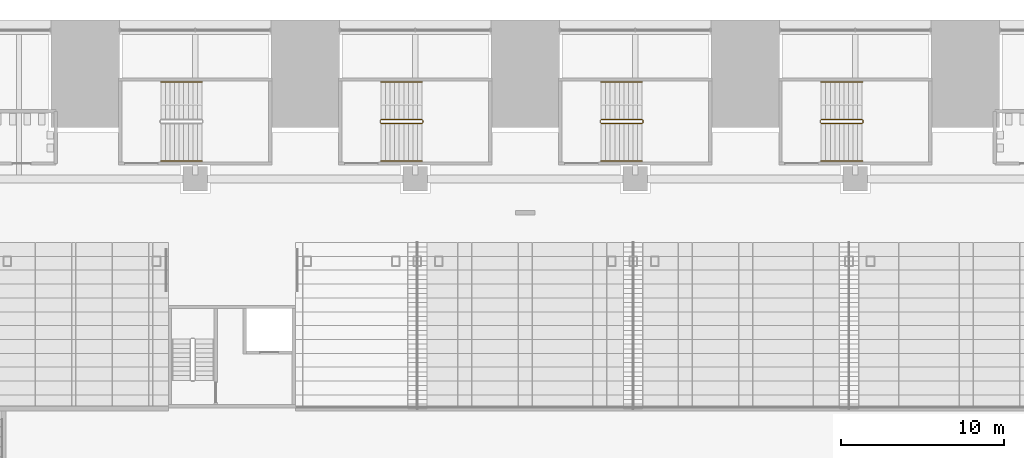
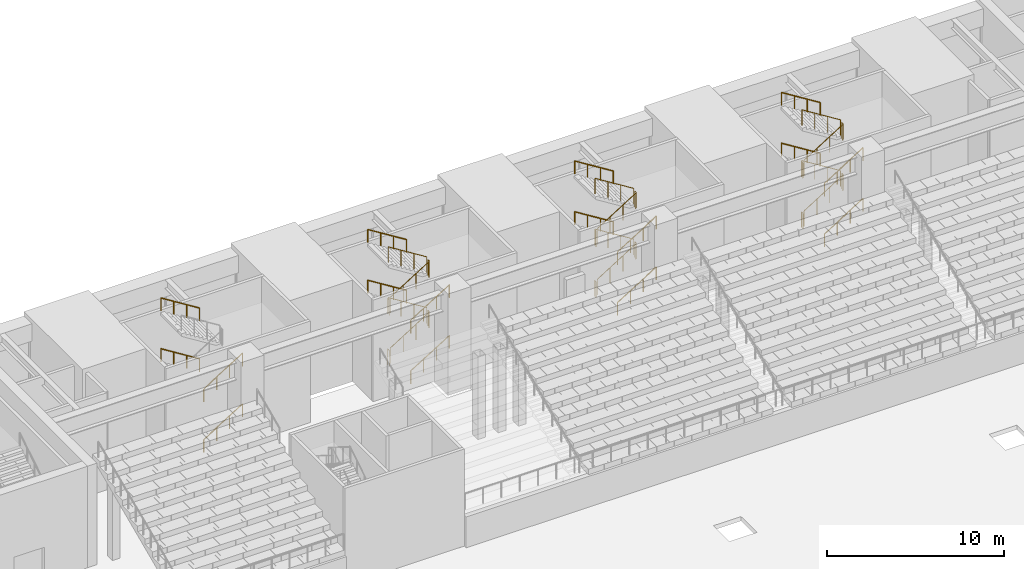
# One storey, part 60 of 62: 7 railings.
"""IFC4 building model written with IfcOpenShell, lengths in metres."""

from ifc_helpers import new_model, si_unit, direction, frame, origin, origin_2d, place, context, subcontext, project, spatial, circle, extrude, material, type_object, element, save


model = new_model("IFC4")

# Units and contexts
model_context = context("Model", 3, precision=1e-05, world=origin(), true_north=direction((0.0, 1.0)))
body_context = subcontext(model_context, "Body", "Model", "MODEL_VIEW")
ifc_project = project(units=[si_unit("LENGTHUNIT", "METRE"), si_unit("AREAUNIT", "SQUARE_METRE"), si_unit("VOLUMEUNIT", "CUBIC_METRE"), si_unit("PLANEANGLEUNIT", "RADIAN"), si_unit("MASSUNIT", "GRAM", prefix="KILO")], contexts=[model_context])

# Site, building, storey
site_placement = place(None, origin())
site = spatial("IfcSite", under=ifc_project, at=site_placement, CompositionType="ELEMENT")
building_placement = place(site_placement, origin())
building = spatial("IfcBuilding", under=site, at=building_placement, Name="Corbelhall Arena Tower", CompositionType="ELEMENT")
storey_placement = place(building_placement, frame((0.0, 0.0, 12.0)))
storey = spatial("IfcBuildingStorey", under=building, at=storey_placement, Name="L01", CompositionType="ELEMENT", Elevation=12.0)

# Railings
ifc_material = material(Name="Stainless steel A4", Category="steel")
railing_type_1 = type_object("IfcRailingType", Name="AR-STAIR-GUARD", PredefinedType="GUARDRAIL", material=ifc_material)
railing_1_placement = place(storey_placement, frame((-8.85009765625, 32.64990234375, 0.175048828125)))
element("IfcRailing", 1, at=railing_1_placement, inside=storey, type_object=railing_type_1, Name="L01 AS10 stair guards", PredefinedType="GUARDRAIL", context=body_context, shape_type="SweptSolid", body=[
    extrude(circle(Radius=0.02392578125, at=origin_2d()), frame((0.0, 0.0, 1.076171875), z_axis=(0.848007534815, 0.0, 0.529984170421), x_axis=(0.0, 1.0, 0.0)), (0.0, 0.0, 1.0), 2.9716796875),
    extrude(circle(Radius=0.02392578125, at=origin_2d()), frame((2.570068359375, 0.050048828125, 2.65087890625), z_axis=(0.0, 1.0, 0.0), x_axis=(-1.0, 0.0, 0.0)), (0.0, 0.0, 1.0), 0.150146484375),
    extrude(circle(Radius=0.02392578125, at=origin_2d()), frame((2.52001953125, 0.25, 2.826171875), z_axis=(-0.848007534815, 0.0, 0.529984170421), x_axis=(0.0, -1.0, 0.0)), (0.0, 0.0, 1.0), 2.9716796875),
    extrude(circle(Radius=0.02392578125, at=origin_2d()), frame((-0.0498046875, 0.050048828125, 4.40087890625), z_axis=(0.0, 1.0, 0.0), x_axis=(-1.0, 0.0, 0.0)), (0.0, 0.0, 1.0), 0.150146484375),
    extrude(circle(Radius=0.02392578125, at=origin_2d()), frame((0.0, 0.0, 4.576171875), z_axis=(0.848007534815, 0.0, 0.529984170421), x_axis=(0.0, 1.0, 0.0)), (0.0, 0.0, 1.0), 2.9716796875),
    extrude(circle(Radius=0.02392578125, at=origin_2d()), frame((2.570068359375, 0.050048828125, 6.15087890625), z_axis=(0.0, 1.0, 0.0), x_axis=(-1.0, 0.0, 0.0)), (0.0, 0.0, 1.0), 0.150146484375),
    extrude(circle(Radius=0.02392578125, at=origin_2d()), frame((2.52001953125, 0.25, 6.326171875), z_axis=(-0.848007534815, 0.0, 0.529984170421), x_axis=(0.0, -1.0, 0.0)), (0.0, 0.0, 1.0), 2.9716796875),
    extrude(circle(Radius=0.02392578125, at=origin_2d()), frame((-0.0498046875, 0.050048828125, 0.90087890625), z_axis=(0.0, 1.0, 0.0), x_axis=(-1.0, 0.0, 0.0)), (0.0, 0.0, 1.0), 0.150146484375),
    extrude(circle(Radius=0.02099609375, at=origin_2d()), origin(), (0.0, 0.0, 1.0), 1.052001953125),
    extrude(circle(Radius=0.02099609375, at=origin_2d()), frame((0.840087890625, 0.0, 0.52490234375)), (0.0, 0.0, 1.0), 1.052001953125),
    extrude(circle(Radius=0.02099609375, at=origin_2d()), frame((1.679931640625, 0.0, 1.050048828125)), (0.0, 0.0, 1.0), 1.052001953125),
    extrude(circle(Radius=0.02099609375, at=origin_2d()), frame((2.52001953125, 0.0, 1.574951171875)), (0.0, 0.0, 1.0), 1.052001953125),
    extrude(circle(Radius=0.02099609375, at=origin_2d()), frame((2.570068359375, 0.050048828125, 1.574951171875)), (0.0, 0.0, 1.0), 1.052001953125),
    extrude(circle(Radius=0.02099609375, at=origin_2d()), frame((2.570068359375, 0.2001953125, 1.574951171875)), (0.0, 0.0, 1.0), 1.052001953125),
    extrude(circle(Radius=0.02099609375, at=origin_2d()), frame((2.52001953125, 0.25, 1.75)), (0.0, 0.0, 1.0), 1.052001953125),
    extrude(circle(Radius=0.02099609375, at=origin_2d()), frame((1.679931640625, 0.25, 2.27490234375)), (0.0, 0.0, 1.0), 1.052001953125),
    extrude(circle(Radius=0.02099609375, at=origin_2d()), frame((0.840087890625, 0.25, 2.800048828125)), (0.0, 0.0, 1.0), 1.052001953125),
    extrude(circle(Radius=0.02099609375, at=origin_2d()), frame((0.0, 0.25, 3.324951171875)), (0.0, 0.0, 1.0), 1.052001953125),
    extrude(circle(Radius=0.02099609375, at=origin_2d()), frame((-0.0498046875, 0.050048828125, 3.324951171875)), (0.0, 0.0, 1.0), 1.052001953125),
    extrude(circle(Radius=0.02099609375, at=origin_2d()), frame((-0.0498046875, 0.2001953125, 3.324951171875)), (0.0, 0.0, 1.0), 1.052001953125),
    extrude(circle(Radius=0.02099609375, at=origin_2d()), frame((0.0, 0.0, 3.5)), (0.0, 0.0, 1.0), 1.052001953125),
    extrude(circle(Radius=0.02099609375, at=origin_2d()), frame((0.840087890625, 0.0, 4.02490234375)), (0.0, 0.0, 1.0), 1.052001953125),
    extrude(circle(Radius=0.02099609375, at=origin_2d()), frame((1.679931640625, 0.0, 4.550048828125)), (0.0, 0.0, 1.0), 1.052001953125),
    extrude(circle(Radius=0.02099609375, at=origin_2d()), frame((2.52001953125, 0.0, 5.074951171875)), (0.0, 0.0, 1.0), 1.052001953125),
    extrude(circle(Radius=0.02099609375, at=origin_2d()), frame((2.570068359375, 0.050048828125, 5.074951171875)), (0.0, 0.0, 1.0), 1.052001953125),
    extrude(circle(Radius=0.02099609375, at=origin_2d()), frame((2.570068359375, 0.2001953125, 5.074951171875)), (0.0, 0.0, 1.0), 1.052001953125),
    extrude(circle(Radius=0.02099609375, at=origin_2d()), frame((2.52001953125, 0.25, 5.25)), (0.0, 0.0, 1.0), 1.052001953125),
    extrude(circle(Radius=0.02099609375, at=origin_2d()), frame((1.679931640625, 0.25, 5.77490234375)), (0.0, 0.0, 1.0), 1.052001953125),
    extrude(circle(Radius=0.02099609375, at=origin_2d()), frame((0.840087890625, 0.25, 6.300048828125)), (0.0, 0.0, 1.0), 1.052001953125),
    extrude(circle(Radius=0.02099609375, at=origin_2d()), frame((0.0, 0.25, 6.824951171875)), (0.0, 0.0, 1.0), 1.052001953125),
    extrude(circle(Radius=0.02099609375, at=origin_2d()), frame((-0.0498046875, 0.050048828125, -0.175048828125)), (0.0, 0.0, 1.0), 1.052001953125),
    extrude(circle(Radius=0.02099609375, at=origin_2d()), frame((-0.0498046875, 0.2001953125, -0.175048828125)), (0.0, 0.0, 1.0), 1.052001953125),
])
railing_2_placement = place(storey_placement, frame((4.64990234375, 32.64990234375, 0.175048828125)))
element("IfcRailing", 2, at=railing_2_placement, inside=storey, type_object=railing_type_1, Name="L01 AS11 stair guards", PredefinedType="GUARDRAIL", context=body_context, shape_type="SweptSolid", body=[
    extrude(circle(Radius=0.02392578125, at=origin_2d()), frame((0.0, 0.0, 1.076171875), z_axis=(0.848007534815, 0.0, 0.529984170421), x_axis=(0.0, 1.0, 0.0)), (0.0, 0.0, 1.0), 2.9716796875),
    extrude(circle(Radius=0.02392578125, at=origin_2d()), frame((2.570068359375, 0.050048828125, 2.65087890625), z_axis=(0.0, 1.0, 0.0), x_axis=(-1.0, 0.0, 0.0)), (0.0, 0.0, 1.0), 0.150146484375),
    extrude(circle(Radius=0.02392578125, at=origin_2d()), frame((2.52001953125, 0.25, 2.826171875), z_axis=(-0.848007534815, 0.0, 0.529984170421), x_axis=(0.0, -1.0, 0.0)), (0.0, 0.0, 1.0), 2.9716796875),
    extrude(circle(Radius=0.02392578125, at=origin_2d()), frame((-0.0498046875, 0.050048828125, 4.40087890625), z_axis=(0.0, 1.0, 0.0), x_axis=(-1.0, 0.0, 0.0)), (0.0, 0.0, 1.0), 0.150146484375),
    extrude(circle(Radius=0.02392578125, at=origin_2d()), frame((0.0, 0.0, 4.576171875), z_axis=(0.848007534815, 0.0, 0.529984170421), x_axis=(0.0, 1.0, 0.0)), (0.0, 0.0, 1.0), 2.9716796875),
    extrude(circle(Radius=0.02392578125, at=origin_2d()), frame((2.570068359375, 0.050048828125, 6.15087890625), z_axis=(0.0, 1.0, 0.0), x_axis=(-1.0, 0.0, 0.0)), (0.0, 0.0, 1.0), 0.150146484375),
    extrude(circle(Radius=0.02392578125, at=origin_2d()), frame((2.52001953125, 0.25, 6.326171875), z_axis=(-0.848007534815, 0.0, 0.529984170421), x_axis=(0.0, -1.0, 0.0)), (0.0, 0.0, 1.0), 2.9716796875),
    extrude(circle(Radius=0.02392578125, at=origin_2d()), frame((-0.0498046875, 0.050048828125, 0.90087890625), z_axis=(0.0, 1.0, 0.0), x_axis=(-1.0, 0.0, 0.0)), (0.0, 0.0, 1.0), 0.150146484375),
    extrude(circle(Radius=0.02099609375, at=origin_2d()), origin(), (0.0, 0.0, 1.0), 1.052001953125),
    extrude(circle(Radius=0.02099609375, at=origin_2d()), frame((0.840087890625, 0.0, 0.52490234375)), (0.0, 0.0, 1.0), 1.052001953125),
    extrude(circle(Radius=0.02099609375, at=origin_2d()), frame((1.679931640625, 0.0, 1.050048828125)), (0.0, 0.0, 1.0), 1.052001953125),
    extrude(circle(Radius=0.02099609375, at=origin_2d()), frame((2.52001953125, 0.0, 1.574951171875)), (0.0, 0.0, 1.0), 1.052001953125),
    extrude(circle(Radius=0.02099609375, at=origin_2d()), frame((2.570068359375, 0.050048828125, 1.574951171875)), (0.0, 0.0, 1.0), 1.052001953125),
    extrude(circle(Radius=0.02099609375, at=origin_2d()), frame((2.570068359375, 0.2001953125, 1.574951171875)), (0.0, 0.0, 1.0), 1.052001953125),
    extrude(circle(Radius=0.02099609375, at=origin_2d()), frame((2.52001953125, 0.25, 1.75)), (0.0, 0.0, 1.0), 1.052001953125),
    extrude(circle(Radius=0.02099609375, at=origin_2d()), frame((1.679931640625, 0.25, 2.27490234375)), (0.0, 0.0, 1.0), 1.052001953125),
    extrude(circle(Radius=0.02099609375, at=origin_2d()), frame((0.840087890625, 0.25, 2.800048828125)), (0.0, 0.0, 1.0), 1.052001953125),
    extrude(circle(Radius=0.02099609375, at=origin_2d()), frame((0.0, 0.25, 3.324951171875)), (0.0, 0.0, 1.0), 1.052001953125),
    extrude(circle(Radius=0.02099609375, at=origin_2d()), frame((-0.0498046875, 0.050048828125, 3.324951171875)), (0.0, 0.0, 1.0), 1.052001953125),
    extrude(circle(Radius=0.02099609375, at=origin_2d()), frame((-0.0498046875, 0.2001953125, 3.324951171875)), (0.0, 0.0, 1.0), 1.052001953125),
    extrude(circle(Radius=0.02099609375, at=origin_2d()), frame((0.0, 0.0, 3.5)), (0.0, 0.0, 1.0), 1.052001953125),
    extrude(circle(Radius=0.02099609375, at=origin_2d()), frame((0.840087890625, 0.0, 4.02490234375)), (0.0, 0.0, 1.0), 1.052001953125),
    extrude(circle(Radius=0.02099609375, at=origin_2d()), frame((1.679931640625, 0.0, 4.550048828125)), (0.0, 0.0, 1.0), 1.052001953125),
    extrude(circle(Radius=0.02099609375, at=origin_2d()), frame((2.52001953125, 0.0, 5.074951171875)), (0.0, 0.0, 1.0), 1.052001953125),
    extrude(circle(Radius=0.02099609375, at=origin_2d()), frame((2.570068359375, 0.050048828125, 5.074951171875)), (0.0, 0.0, 1.0), 1.052001953125),
    extrude(circle(Radius=0.02099609375, at=origin_2d()), frame((2.570068359375, 0.2001953125, 5.074951171875)), (0.0, 0.0, 1.0), 1.052001953125),
    extrude(circle(Radius=0.02099609375, at=origin_2d()), frame((2.52001953125, 0.25, 5.25)), (0.0, 0.0, 1.0), 1.052001953125),
    extrude(circle(Radius=0.02099609375, at=origin_2d()), frame((1.679931640625, 0.25, 5.77490234375)), (0.0, 0.0, 1.0), 1.052001953125),
    extrude(circle(Radius=0.02099609375, at=origin_2d()), frame((0.840087890625, 0.25, 6.300048828125)), (0.0, 0.0, 1.0), 1.052001953125),
    extrude(circle(Radius=0.02099609375, at=origin_2d()), frame((0.0, 0.25, 6.824951171875)), (0.0, 0.0, 1.0), 1.052001953125),
    extrude(circle(Radius=0.02099609375, at=origin_2d()), frame((-0.0498046875, 0.050048828125, -0.175048828125)), (0.0, 0.0, 1.0), 1.052001953125),
    extrude(circle(Radius=0.02099609375, at=origin_2d()), frame((-0.0498046875, 0.2001953125, -0.175048828125)), (0.0, 0.0, 1.0), 1.052001953125),
])
railing_3_placement = place(storey_placement, frame((18.14990234375, 32.64990234375, 0.175048828125)))
element("IfcRailing", 3, at=railing_3_placement, inside=storey, type_object=railing_type_1, Name="L01 AS12 stair guards", PredefinedType="GUARDRAIL", context=body_context, shape_type="SweptSolid", body=[
    extrude(circle(Radius=0.02392578125, at=origin_2d()), frame((0.0, 0.0, 1.076171875), z_axis=(0.848007534815, 0.0, 0.529984170421), x_axis=(0.0, 1.0, 0.0)), (0.0, 0.0, 1.0), 2.9716796875),
    extrude(circle(Radius=0.02392578125, at=origin_2d()), frame((2.570068359375, 0.050048828125, 2.65087890625), z_axis=(0.0, 1.0, 0.0), x_axis=(-1.0, 0.0, 0.0)), (0.0, 0.0, 1.0), 0.150146484375),
    extrude(circle(Radius=0.02392578125, at=origin_2d()), frame((2.52001953125, 0.25, 2.826171875), z_axis=(-0.848007534815, 0.0, 0.529984170421), x_axis=(0.0, -1.0, 0.0)), (0.0, 0.0, 1.0), 2.9716796875),
    extrude(circle(Radius=0.02392578125, at=origin_2d()), frame((-0.0498046875, 0.050048828125, 4.40087890625), z_axis=(0.0, 1.0, 0.0), x_axis=(-1.0, 0.0, 0.0)), (0.0, 0.0, 1.0), 0.150146484375),
    extrude(circle(Radius=0.02392578125, at=origin_2d()), frame((0.0, 0.0, 4.576171875), z_axis=(0.848007534815, 0.0, 0.529984170421), x_axis=(0.0, 1.0, 0.0)), (0.0, 0.0, 1.0), 2.9716796875),
    extrude(circle(Radius=0.02392578125, at=origin_2d()), frame((2.570068359375, 0.050048828125, 6.15087890625), z_axis=(0.0, 1.0, 0.0), x_axis=(-1.0, 0.0, 0.0)), (0.0, 0.0, 1.0), 0.150146484375),
    extrude(circle(Radius=0.02392578125, at=origin_2d()), frame((2.52001953125, 0.25, 6.326171875), z_axis=(-0.848007534815, 0.0, 0.529984170421), x_axis=(0.0, -1.0, 0.0)), (0.0, 0.0, 1.0), 2.9716796875),
    extrude(circle(Radius=0.02392578125, at=origin_2d()), frame((-0.0498046875, 0.050048828125, 0.90087890625), z_axis=(0.0, 1.0, 0.0), x_axis=(-1.0, 0.0, 0.0)), (0.0, 0.0, 1.0), 0.150146484375),
    extrude(circle(Radius=0.02099609375, at=origin_2d()), origin(), (0.0, 0.0, 1.0), 1.052001953125),
    extrude(circle(Radius=0.02099609375, at=origin_2d()), frame((0.840087890625, 0.0, 0.52490234375)), (0.0, 0.0, 1.0), 1.052001953125),
    extrude(circle(Radius=0.02099609375, at=origin_2d()), frame((1.679931640625, 0.0, 1.050048828125)), (0.0, 0.0, 1.0), 1.052001953125),
    extrude(circle(Radius=0.02099609375, at=origin_2d()), frame((2.52001953125, 0.0, 1.574951171875)), (0.0, 0.0, 1.0), 1.052001953125),
    extrude(circle(Radius=0.02099609375, at=origin_2d()), frame((2.570068359375, 0.050048828125, 1.574951171875)), (0.0, 0.0, 1.0), 1.052001953125),
    extrude(circle(Radius=0.02099609375, at=origin_2d()), frame((2.570068359375, 0.2001953125, 1.574951171875)), (0.0, 0.0, 1.0), 1.052001953125),
    extrude(circle(Radius=0.02099609375, at=origin_2d()), frame((2.52001953125, 0.25, 1.75)), (0.0, 0.0, 1.0), 1.052001953125),
    extrude(circle(Radius=0.02099609375, at=origin_2d()), frame((1.679931640625, 0.25, 2.27490234375)), (0.0, 0.0, 1.0), 1.052001953125),
    extrude(circle(Radius=0.02099609375, at=origin_2d()), frame((0.840087890625, 0.25, 2.800048828125)), (0.0, 0.0, 1.0), 1.052001953125),
    extrude(circle(Radius=0.02099609375, at=origin_2d()), frame((0.0, 0.25, 3.324951171875)), (0.0, 0.0, 1.0), 1.052001953125),
    extrude(circle(Radius=0.02099609375, at=origin_2d()), frame((-0.0498046875, 0.050048828125, 3.324951171875)), (0.0, 0.0, 1.0), 1.052001953125),
    extrude(circle(Radius=0.02099609375, at=origin_2d()), frame((-0.0498046875, 0.2001953125, 3.324951171875)), (0.0, 0.0, 1.0), 1.052001953125),
    extrude(circle(Radius=0.02099609375, at=origin_2d()), frame((0.0, 0.0, 3.5)), (0.0, 0.0, 1.0), 1.052001953125),
    extrude(circle(Radius=0.02099609375, at=origin_2d()), frame((0.840087890625, 0.0, 4.02490234375)), (0.0, 0.0, 1.0), 1.052001953125),
    extrude(circle(Radius=0.02099609375, at=origin_2d()), frame((1.679931640625, 0.0, 4.550048828125)), (0.0, 0.0, 1.0), 1.052001953125),
    extrude(circle(Radius=0.02099609375, at=origin_2d()), frame((2.52001953125, 0.0, 5.074951171875)), (0.0, 0.0, 1.0), 1.052001953125),
    extrude(circle(Radius=0.02099609375, at=origin_2d()), frame((2.570068359375, 0.050048828125, 5.074951171875)), (0.0, 0.0, 1.0), 1.052001953125),
    extrude(circle(Radius=0.02099609375, at=origin_2d()), frame((2.570068359375, 0.2001953125, 5.074951171875)), (0.0, 0.0, 1.0), 1.052001953125),
    extrude(circle(Radius=0.02099609375, at=origin_2d()), frame((2.52001953125, 0.25, 5.25)), (0.0, 0.0, 1.0), 1.052001953125),
    extrude(circle(Radius=0.02099609375, at=origin_2d()), frame((1.679931640625, 0.25, 5.77490234375)), (0.0, 0.0, 1.0), 1.052001953125),
    extrude(circle(Radius=0.02099609375, at=origin_2d()), frame((0.840087890625, 0.25, 6.300048828125)), (0.0, 0.0, 1.0), 1.052001953125),
    extrude(circle(Radius=0.02099609375, at=origin_2d()), frame((0.0, 0.25, 6.824951171875)), (0.0, 0.0, 1.0), 1.052001953125),
    extrude(circle(Radius=0.02099609375, at=origin_2d()), frame((-0.0498046875, 0.050048828125, -0.175048828125)), (0.0, 0.0, 1.0), 1.052001953125),
    extrude(circle(Radius=0.02099609375, at=origin_2d()), frame((-0.0498046875, 0.2001953125, -0.175048828125)), (0.0, 0.0, 1.0), 1.052001953125),
])
railing_type_2 = type_object("IfcRailingType", Name="AR-STAIR-HANDRAIL", PredefinedType="HANDRAIL", material=ifc_material)
railing_4_placement = place(storey_placement, frame((-22.35009765625, 30.35009765625, 0.175048828125)))
element("IfcRailing", 4, at=railing_4_placement, inside=storey, type_object=railing_type_2, Name="L01 AS9 stair handrails", PredefinedType="HANDRAIL", context=body_context, shape_type="SweptSolid", body=[
    extrude(circle(Radius=0.02392578125, at=origin_2d()), frame((0.0, 0.0, 0.8759765625), z_axis=(0.848007534815, 0.0, 0.529984170421), x_axis=(0.0, 1.0, 0.0)), (0.0, 0.0, 1.0), 2.9716796875),
    extrude(circle(Radius=0.02392578125, at=origin_2d()), frame((2.52001953125, 4.849853515625, 2.6259765625), z_axis=(-0.848007534815, 0.0, 0.529984170421), x_axis=(0.0, -1.0, 0.0)), (0.0, 0.0, 1.0), 2.9716796875),
    extrude(circle(Radius=0.02392578125, at=origin_2d()), frame((0.0, 0.0, 4.3759765625), z_axis=(0.848007534815, 0.0, 0.529984170421), x_axis=(0.0, 1.0, 0.0)), (0.0, 0.0, 1.0), 2.9716796875),
    extrude(circle(Radius=0.02392578125, at=origin_2d()), frame((2.52001953125, 4.849853515625, 6.1259765625), z_axis=(-0.848007534815, 0.0, 0.529984170421), x_axis=(0.0, -1.0, 0.0)), (0.0, 0.0, 1.0), 2.9716796875),
    extrude(circle(Radius=0.02099609375, at=origin_2d()), origin(), (0.0, 0.0, 1.0), 0.851806640625),
    extrude(circle(Radius=0.02099609375, at=origin_2d()), frame((0.840087890625, 0.0, 0.52490234375)), (0.0, 0.0, 1.0), 0.851806640625),
    extrude(circle(Radius=0.02099609375, at=origin_2d()), frame((1.679931640625, 0.0, 1.050048828125)), (0.0, 0.0, 1.0), 0.851806640625),
    extrude(circle(Radius=0.02099609375, at=origin_2d()), frame((2.52001953125, 0.0, 1.574951171875)), (0.0, 0.0, 1.0), 0.851806640625),
    extrude(circle(Radius=0.02099609375, at=origin_2d()), frame((2.52001953125, 4.849853515625, 1.75)), (0.0, 0.0, 1.0), 0.851806640625),
    extrude(circle(Radius=0.02099609375, at=origin_2d()), frame((1.679931640625, 4.849853515625, 2.27490234375)), (0.0, 0.0, 1.0), 0.851806640625),
    extrude(circle(Radius=0.02099609375, at=origin_2d()), frame((0.840087890625, 4.849853515625, 2.800048828125)), (0.0, 0.0, 1.0), 0.851806640625),
    extrude(circle(Radius=0.02099609375, at=origin_2d()), frame((0.0, 4.849853515625, 3.324951171875)), (0.0, 0.0, 1.0), 0.851806640625),
    extrude(circle(Radius=0.02099609375, at=origin_2d()), frame((0.0, 0.0, 3.5)), (0.0, 0.0, 1.0), 0.851806640625),
    extrude(circle(Radius=0.02099609375, at=origin_2d()), frame((0.840087890625, 0.0, 4.02490234375)), (0.0, 0.0, 1.0), 0.851806640625),
    extrude(circle(Radius=0.02099609375, at=origin_2d()), frame((1.679931640625, 0.0, 4.550048828125)), (0.0, 0.0, 1.0), 0.851806640625),
    extrude(circle(Radius=0.02099609375, at=origin_2d()), frame((2.52001953125, 0.0, 5.074951171875)), (0.0, 0.0, 1.0), 0.851806640625),
    extrude(circle(Radius=0.02099609375, at=origin_2d()), frame((2.52001953125, 4.849853515625, 5.25)), (0.0, 0.0, 1.0), 0.851806640625),
    extrude(circle(Radius=0.02099609375, at=origin_2d()), frame((1.679931640625, 4.849853515625, 5.77490234375)), (0.0, 0.0, 1.0), 0.851806640625),
    extrude(circle(Radius=0.02099609375, at=origin_2d()), frame((0.840087890625, 4.849853515625, 6.300048828125)), (0.0, 0.0, 1.0), 0.851806640625),
    extrude(circle(Radius=0.02099609375, at=origin_2d()), frame((0.0, 4.849853515625, 6.824951171875)), (0.0, 0.0, 1.0), 0.851806640625),
])
railing_5_placement = place(storey_placement, frame((-8.85009765625, 30.35009765625, 0.175048828125)))
element("IfcRailing", 5, at=railing_5_placement, inside=storey, type_object=railing_type_2, Name="L01 AS10 stair handrails", PredefinedType="HANDRAIL", context=body_context, shape_type="SweptSolid", body=[
    extrude(circle(Radius=0.02392578125, at=origin_2d()), frame((0.0, 0.0, 0.8759765625), z_axis=(0.848007534815, 0.0, 0.529984170421), x_axis=(0.0, 1.0, 0.0)), (0.0, 0.0, 1.0), 2.9716796875),
    extrude(circle(Radius=0.02392578125, at=origin_2d()), frame((2.52001953125, 4.849853515625, 2.6259765625), z_axis=(-0.848007534815, 0.0, 0.529984170421), x_axis=(0.0, -1.0, 0.0)), (0.0, 0.0, 1.0), 2.9716796875),
    extrude(circle(Radius=0.02392578125, at=origin_2d()), frame((0.0, 0.0, 4.3759765625), z_axis=(0.848007534815, 0.0, 0.529984170421), x_axis=(0.0, 1.0, 0.0)), (0.0, 0.0, 1.0), 2.9716796875),
    extrude(circle(Radius=0.02392578125, at=origin_2d()), frame((2.52001953125, 4.849853515625, 6.1259765625), z_axis=(-0.848007534815, 0.0, 0.529984170421), x_axis=(0.0, -1.0, 0.0)), (0.0, 0.0, 1.0), 2.9716796875),
    extrude(circle(Radius=0.02099609375, at=origin_2d()), origin(), (0.0, 0.0, 1.0), 0.851806640625),
    extrude(circle(Radius=0.02099609375, at=origin_2d()), frame((0.840087890625, 0.0, 0.52490234375)), (0.0, 0.0, 1.0), 0.851806640625),
    extrude(circle(Radius=0.02099609375, at=origin_2d()), frame((1.679931640625, 0.0, 1.050048828125)), (0.0, 0.0, 1.0), 0.851806640625),
    extrude(circle(Radius=0.02099609375, at=origin_2d()), frame((2.52001953125, 0.0, 1.574951171875)), (0.0, 0.0, 1.0), 0.851806640625),
    extrude(circle(Radius=0.02099609375, at=origin_2d()), frame((2.52001953125, 4.849853515625, 1.75)), (0.0, 0.0, 1.0), 0.851806640625),
    extrude(circle(Radius=0.02099609375, at=origin_2d()), frame((1.679931640625, 4.849853515625, 2.27490234375)), (0.0, 0.0, 1.0), 0.851806640625),
    extrude(circle(Radius=0.02099609375, at=origin_2d()), frame((0.840087890625, 4.849853515625, 2.800048828125)), (0.0, 0.0, 1.0), 0.851806640625),
    extrude(circle(Radius=0.02099609375, at=origin_2d()), frame((0.0, 4.849853515625, 3.324951171875)), (0.0, 0.0, 1.0), 0.851806640625),
    extrude(circle(Radius=0.02099609375, at=origin_2d()), frame((0.0, 0.0, 3.5)), (0.0, 0.0, 1.0), 0.851806640625),
    extrude(circle(Radius=0.02099609375, at=origin_2d()), frame((0.840087890625, 0.0, 4.02490234375)), (0.0, 0.0, 1.0), 0.851806640625),
    extrude(circle(Radius=0.02099609375, at=origin_2d()), frame((1.679931640625, 0.0, 4.550048828125)), (0.0, 0.0, 1.0), 0.851806640625),
    extrude(circle(Radius=0.02099609375, at=origin_2d()), frame((2.52001953125, 0.0, 5.074951171875)), (0.0, 0.0, 1.0), 0.851806640625),
    extrude(circle(Radius=0.02099609375, at=origin_2d()), frame((2.52001953125, 4.849853515625, 5.25)), (0.0, 0.0, 1.0), 0.851806640625),
    extrude(circle(Radius=0.02099609375, at=origin_2d()), frame((1.679931640625, 4.849853515625, 5.77490234375)), (0.0, 0.0, 1.0), 0.851806640625),
    extrude(circle(Radius=0.02099609375, at=origin_2d()), frame((0.840087890625, 4.849853515625, 6.300048828125)), (0.0, 0.0, 1.0), 0.851806640625),
    extrude(circle(Radius=0.02099609375, at=origin_2d()), frame((0.0, 4.849853515625, 6.824951171875)), (0.0, 0.0, 1.0), 0.851806640625),
])
railing_6_placement = place(storey_placement, frame((4.64990234375, 30.35009765625, 0.175048828125)))
element("IfcRailing", 6, at=railing_6_placement, inside=storey, type_object=railing_type_2, Name="L01 AS11 stair handrails", PredefinedType="HANDRAIL", context=body_context, shape_type="SweptSolid", body=[
    extrude(circle(Radius=0.02392578125, at=origin_2d()), frame((0.0, 0.0, 0.8759765625), z_axis=(0.848007534815, 0.0, 0.529984170421), x_axis=(0.0, 1.0, 0.0)), (0.0, 0.0, 1.0), 2.9716796875),
    extrude(circle(Radius=0.02392578125, at=origin_2d()), frame((2.52001953125, 4.849853515625, 2.6259765625), z_axis=(-0.848007534815, 0.0, 0.529984170421), x_axis=(0.0, -1.0, 0.0)), (0.0, 0.0, 1.0), 2.9716796875),
    extrude(circle(Radius=0.02392578125, at=origin_2d()), frame((0.0, 0.0, 4.3759765625), z_axis=(0.848007534815, 0.0, 0.529984170421), x_axis=(0.0, 1.0, 0.0)), (0.0, 0.0, 1.0), 2.9716796875),
    extrude(circle(Radius=0.02392578125, at=origin_2d()), frame((2.52001953125, 4.849853515625, 6.1259765625), z_axis=(-0.848007534815, 0.0, 0.529984170421), x_axis=(0.0, -1.0, 0.0)), (0.0, 0.0, 1.0), 2.9716796875),
    extrude(circle(Radius=0.02099609375, at=origin_2d()), origin(), (0.0, 0.0, 1.0), 0.851806640625),
    extrude(circle(Radius=0.02099609375, at=origin_2d()), frame((0.840087890625, 0.0, 0.52490234375)), (0.0, 0.0, 1.0), 0.851806640625),
    extrude(circle(Radius=0.02099609375, at=origin_2d()), frame((1.679931640625, 0.0, 1.050048828125)), (0.0, 0.0, 1.0), 0.851806640625),
    extrude(circle(Radius=0.02099609375, at=origin_2d()), frame((2.52001953125, 0.0, 1.574951171875)), (0.0, 0.0, 1.0), 0.851806640625),
    extrude(circle(Radius=0.02099609375, at=origin_2d()), frame((2.52001953125, 4.849853515625, 1.75)), (0.0, 0.0, 1.0), 0.851806640625),
    extrude(circle(Radius=0.02099609375, at=origin_2d()), frame((1.679931640625, 4.849853515625, 2.27490234375)), (0.0, 0.0, 1.0), 0.851806640625),
    extrude(circle(Radius=0.02099609375, at=origin_2d()), frame((0.840087890625, 4.849853515625, 2.800048828125)), (0.0, 0.0, 1.0), 0.851806640625),
    extrude(circle(Radius=0.02099609375, at=origin_2d()), frame((0.0, 4.849853515625, 3.324951171875)), (0.0, 0.0, 1.0), 0.851806640625),
    extrude(circle(Radius=0.02099609375, at=origin_2d()), frame((0.0, 0.0, 3.5)), (0.0, 0.0, 1.0), 0.851806640625),
    extrude(circle(Radius=0.02099609375, at=origin_2d()), frame((0.840087890625, 0.0, 4.02490234375)), (0.0, 0.0, 1.0), 0.851806640625),
    extrude(circle(Radius=0.02099609375, at=origin_2d()), frame((1.679931640625, 0.0, 4.550048828125)), (0.0, 0.0, 1.0), 0.851806640625),
    extrude(circle(Radius=0.02099609375, at=origin_2d()), frame((2.52001953125, 0.0, 5.074951171875)), (0.0, 0.0, 1.0), 0.851806640625),
    extrude(circle(Radius=0.02099609375, at=origin_2d()), frame((2.52001953125, 4.849853515625, 5.25)), (0.0, 0.0, 1.0), 0.851806640625),
    extrude(circle(Radius=0.02099609375, at=origin_2d()), frame((1.679931640625, 4.849853515625, 5.77490234375)), (0.0, 0.0, 1.0), 0.851806640625),
    extrude(circle(Radius=0.02099609375, at=origin_2d()), frame((0.840087890625, 4.849853515625, 6.300048828125)), (0.0, 0.0, 1.0), 0.851806640625),
    extrude(circle(Radius=0.02099609375, at=origin_2d()), frame((0.0, 4.849853515625, 6.824951171875)), (0.0, 0.0, 1.0), 0.851806640625),
])
railing_7_placement = place(storey_placement, frame((18.14990234375, 30.35009765625, 0.175048828125)))
element("IfcRailing", 7, at=railing_7_placement, inside=storey, type_object=railing_type_2, Name="L01 AS12 stair handrails", PredefinedType="HANDRAIL", context=body_context, shape_type="SweptSolid", body=[
    extrude(circle(Radius=0.02392578125, at=origin_2d()), frame((0.0, 0.0, 0.8759765625), z_axis=(0.848007534815, 0.0, 0.529984170421), x_axis=(0.0, 1.0, 0.0)), (0.0, 0.0, 1.0), 2.9716796875),
    extrude(circle(Radius=0.02392578125, at=origin_2d()), frame((2.52001953125, 4.849853515625, 2.6259765625), z_axis=(-0.848007534815, 0.0, 0.529984170421), x_axis=(0.0, -1.0, 0.0)), (0.0, 0.0, 1.0), 2.9716796875),
    extrude(circle(Radius=0.02392578125, at=origin_2d()), frame((0.0, 0.0, 4.3759765625), z_axis=(0.848007534815, 0.0, 0.529984170421), x_axis=(0.0, 1.0, 0.0)), (0.0, 0.0, 1.0), 2.9716796875),
    extrude(circle(Radius=0.02392578125, at=origin_2d()), frame((2.52001953125, 4.849853515625, 6.1259765625), z_axis=(-0.848007534815, 0.0, 0.529984170421), x_axis=(0.0, -1.0, 0.0)), (0.0, 0.0, 1.0), 2.9716796875),
    extrude(circle(Radius=0.02099609375, at=origin_2d()), origin(), (0.0, 0.0, 1.0), 0.851806640625),
    extrude(circle(Radius=0.02099609375, at=origin_2d()), frame((0.840087890625, 0.0, 0.52490234375)), (0.0, 0.0, 1.0), 0.851806640625),
    extrude(circle(Radius=0.02099609375, at=origin_2d()), frame((1.679931640625, 0.0, 1.050048828125)), (0.0, 0.0, 1.0), 0.851806640625),
    extrude(circle(Radius=0.02099609375, at=origin_2d()), frame((2.52001953125, 0.0, 1.574951171875)), (0.0, 0.0, 1.0), 0.851806640625),
    extrude(circle(Radius=0.02099609375, at=origin_2d()), frame((2.52001953125, 4.849853515625, 1.75)), (0.0, 0.0, 1.0), 0.851806640625),
    extrude(circle(Radius=0.02099609375, at=origin_2d()), frame((1.679931640625, 4.849853515625, 2.27490234375)), (0.0, 0.0, 1.0), 0.851806640625),
    extrude(circle(Radius=0.02099609375, at=origin_2d()), frame((0.840087890625, 4.849853515625, 2.800048828125)), (0.0, 0.0, 1.0), 0.851806640625),
    extrude(circle(Radius=0.02099609375, at=origin_2d()), frame((0.0, 4.849853515625, 3.324951171875)), (0.0, 0.0, 1.0), 0.851806640625),
    extrude(circle(Radius=0.02099609375, at=origin_2d()), frame((0.0, 0.0, 3.5)), (0.0, 0.0, 1.0), 0.851806640625),
    extrude(circle(Radius=0.02099609375, at=origin_2d()), frame((0.840087890625, 0.0, 4.02490234375)), (0.0, 0.0, 1.0), 0.851806640625),
    extrude(circle(Radius=0.02099609375, at=origin_2d()), frame((1.679931640625, 0.0, 4.550048828125)), (0.0, 0.0, 1.0), 0.851806640625),
    extrude(circle(Radius=0.02099609375, at=origin_2d()), frame((2.52001953125, 0.0, 5.074951171875)), (0.0, 0.0, 1.0), 0.851806640625),
    extrude(circle(Radius=0.02099609375, at=origin_2d()), frame((2.52001953125, 4.849853515625, 5.25)), (0.0, 0.0, 1.0), 0.851806640625),
    extrude(circle(Radius=0.02099609375, at=origin_2d()), frame((1.679931640625, 4.849853515625, 5.77490234375)), (0.0, 0.0, 1.0), 0.851806640625),
    extrude(circle(Radius=0.02099609375, at=origin_2d()), frame((0.840087890625, 4.849853515625, 6.300048828125)), (0.0, 0.0, 1.0), 0.851806640625),
    extrude(circle(Radius=0.02099609375, at=origin_2d()), frame((0.0, 4.849853515625, 6.824951171875)), (0.0, 0.0, 1.0), 0.851806640625),
])

save(model, "model.ifc")
